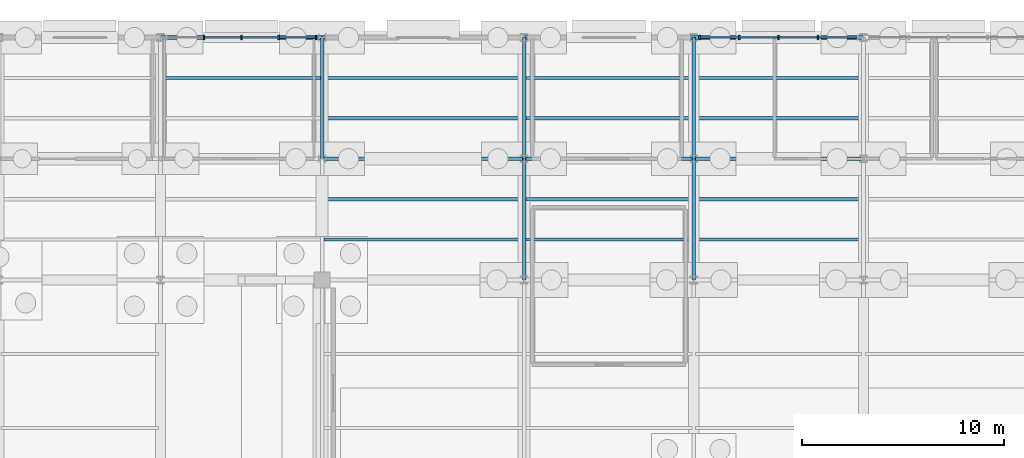
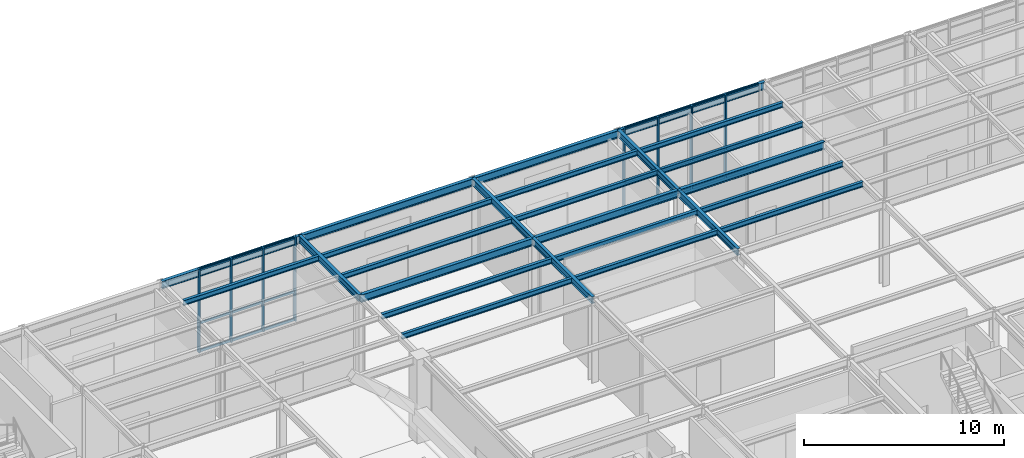
# One storey, part 61 of 129: 36 members, 25 beams, 2 elements without a shape of their own.
"""IFC4 building model written with IfcOpenShell, lengths in metres."""

from ifc_helpers import new_model, si_unit, direction, frame, origin, origin_2d, place, context, subcontext, project, spatial, rectangle, i_section, extrude, material, layer, layer_set, material_profile, profile_set, type_object, element, aggregate, save


model = new_model("IFC4")

# Units and contexts
model_context = context("Model", 3, precision=1e-05, world=origin(), true_north=direction((0.0, 1.0)))
body_context = subcontext(model_context, "Body", "Model", "MODEL_VIEW")
ifc_project = project(units=[si_unit("LENGTHUNIT", "METRE"), si_unit("AREAUNIT", "SQUARE_METRE"), si_unit("VOLUMEUNIT", "CUBIC_METRE"), si_unit("PLANEANGLEUNIT", "RADIAN"), si_unit("MASSUNIT", "GRAM", prefix="KILO")], contexts=[model_context])

# Site, building, storey
site_placement = place(None, origin())
site = spatial("IfcSite", under=ifc_project, at=site_placement, CompositionType="ELEMENT")
building_placement = place(site_placement, origin())
building = spatial("IfcBuilding", under=site, at=building_placement, Name="Sitalva Quay Ferry Terminal", CompositionType="ELEMENT")
storey_placement = place(building_placement, origin())
storey = spatial("IfcBuildingStorey", under=building, at=storey_placement, Name="L01", CompositionType="ELEMENT", Elevation=0.0)

# Beams
ifc_material_1 = material(Name="Structural Steel S355JR", Category="steel")
ifc_material_profile_1 = material_profile(ifc_material_1, i_section(OverallWidth=0.180908203125, OverallDepth=0.4169921875, WebThickness=0.010986328125, FlangeThickness=0.018310546875, FilletRadius=0.012939453125, at=origin_2d()), Name="W410x85")
ifc_profile_set_1 = profile_set([ifc_material_profile_1], Name="Structural Steel S355JR")
beam_type_1 = type_object("IfcBeamType", Name="Beam_W410x85", PredefinedType="BEAM", material=ifc_profile_set_1)
for number, where, z_axis, x_axis, name in (
    (1, (84.0, 100.0, 4.91162109375), (0.0, 1.0, 0.0), (-1.0, 0.0, 0.0), "L01 Primary Y girder 0529"),
    (2, (92.39990234375, 100.0, 4.91162109375), (0.0, 1.0, 0.0), (-1.0, 0.0, 0.0), "L01 Primary Y girder 0532"),
    (3, (74.0, 106.0, 4.91162109375), (0.0, 1.0, 0.0), (-1.0, 0.0, 0.0), "L01 Primary Y girder 0639"),
    (4, (84.0, 106.0, 4.91162109375), (0.0, 1.0, 0.0), (-1.0, 0.0, 0.0), "L01 Primary Y girder 0640"),
    (5, (92.39990234375, 106.0, 4.91162109375), (0.0, 1.0, 0.0), (-1.0, 0.0, 0.0), "L01 Primary Y girder 0641"),
):
    element("IfcBeam", number, at=place(storey_placement, frame(where, z_axis=z_axis, x_axis=x_axis)), inside=storey, type_object=beam_type_1, Name=name, PredefinedType="BEAM", context=body_context, shape_type="SweptSolid", body=[
        extrude(i_section(OverallWidth=0.180908203125, OverallDepth=0.4169921875, WebThickness=0.010986328125, FlangeThickness=0.018310546875, FilletRadius=0.012939453125, at=origin_2d()), origin(), (0.0, 0.0, 1.0), 6.0),
    ])
ifc_material_2 = material(Name="Structural Steel S355JR", Category="steel")
ifc_material_profile_2 = material_profile(ifc_material_2, i_section(OverallWidth=0.19091796875, OverallDepth=0.4599609375, WebThickness=0.010009765625, FlangeThickness=0.01611328125, FilletRadius=0.013916015625, at=origin_2d()), Name="W460x82")
ifc_profile_set_2 = profile_set([ifc_material_profile_2], Name="Structural Steel S355JR")
beam_type_2 = type_object("IfcBeamType", Name="Beam_W460x82", PredefinedType="BEAM", material=ifc_profile_set_2)
beam_1_placement = place(storey_placement, frame((74.0, 106.0, 4.889892578125), z_axis=(1.0, 0.0, 0.0), x_axis=(0.0, 1.0, 0.0)))
element("IfcBeam", 6, at=beam_1_placement, inside=storey, type_object=beam_type_2, Name="L01 Primary X girder 0513", PredefinedType="BEAM", context=body_context, shape_type="SweptSolid", body=[
    extrude(i_section(OverallWidth=0.19091796875, OverallDepth=0.4599609375, WebThickness=0.010009765625, FlangeThickness=0.01611328125, FilletRadius=0.013916015625, at=origin_2d()), origin(), (0.0, 0.0, 1.0), 10.0),
])
beam_2_placement = place(storey_placement, frame((84.0, 106.0, 4.889892578125), z_axis=(1.0, 0.0, 0.0), x_axis=(0.0, 1.0, 0.0)))
element("IfcBeam", 7, at=beam_2_placement, inside=storey, type_object=beam_type_2, Name="L01 Primary X girder 0514", PredefinedType="BEAM", context=body_context, shape_type="SweptSolid", body=[
    extrude(i_section(OverallWidth=0.19091796875, OverallDepth=0.4599609375, WebThickness=0.010009765625, FlangeThickness=0.01611328125, FilletRadius=0.013916015625, at=origin_2d()), origin(), (0.0, 0.0, 1.0), 8.39990234375),
])
beam_3_placement = place(storey_placement, frame((92.39990234375, 106.0, 4.889892578125), z_axis=(1.0, 0.0, 0.0), x_axis=(0.0, 1.0, 0.0)))
element("IfcBeam", 8, at=beam_3_placement, inside=storey, type_object=beam_type_2, Name="L01 Primary X girder 0515", PredefinedType="BEAM", context=body_context, shape_type="SweptSolid", body=[
    extrude(i_section(OverallWidth=0.19091796875, OverallDepth=0.4599609375, WebThickness=0.010009765625, FlangeThickness=0.01611328125, FilletRadius=0.013916015625, at=origin_2d()), origin(), (0.0, 0.0, 1.0), 8.400146484375),
])
beam_4_placement = place(storey_placement, frame((66.0, 112.0, 4.889892578125), z_axis=(1.0, 0.0, 0.0), x_axis=(0.0, 1.0, 0.0)))
element("IfcBeam", 9, at=beam_4_placement, inside=storey, type_object=beam_type_2, Name="L01 Primary X girder 0626", PredefinedType="BEAM", context=body_context, shape_type="SweptSolid", body=[
    extrude(i_section(OverallWidth=0.19091796875, OverallDepth=0.4599609375, WebThickness=0.010009765625, FlangeThickness=0.01611328125, FilletRadius=0.013916015625, at=origin_2d()), origin(), (0.0, 0.0, 1.0), 8.0),
])
beam_5_placement = place(storey_placement, frame((74.0, 112.0, 4.889892578125), z_axis=(1.0, 0.0, 0.0), x_axis=(0.0, 1.0, 0.0)))
element("IfcBeam", 10, at=beam_5_placement, inside=storey, type_object=beam_type_2, Name="L01 Primary X girder 0627", PredefinedType="BEAM", context=body_context, shape_type="SweptSolid", body=[
    extrude(i_section(OverallWidth=0.19091796875, OverallDepth=0.4599609375, WebThickness=0.010009765625, FlangeThickness=0.01611328125, FilletRadius=0.013916015625, at=origin_2d()), origin(), (0.0, 0.0, 1.0), 10.0),
])
beam_6_placement = place(storey_placement, frame((84.0, 112.0, 4.889892578125), z_axis=(1.0, 0.0, 0.0), x_axis=(0.0, 1.0, 0.0)))
element("IfcBeam", 11, at=beam_6_placement, inside=storey, type_object=beam_type_2, Name="L01 Primary X girder 0628", PredefinedType="BEAM", context=body_context, shape_type="SweptSolid", body=[
    extrude(i_section(OverallWidth=0.19091796875, OverallDepth=0.4599609375, WebThickness=0.010009765625, FlangeThickness=0.01611328125, FilletRadius=0.013916015625, at=origin_2d()), origin(), (0.0, 0.0, 1.0), 8.39990234375),
])
beam_7_placement = place(storey_placement, frame((92.39990234375, 112.0, 4.889892578125), z_axis=(1.0, 0.0, 0.0), x_axis=(0.0, 1.0, 0.0)))
element("IfcBeam", 12, at=beam_7_placement, inside=storey, type_object=beam_type_2, Name="L01 Primary X girder 0629", PredefinedType="BEAM", context=body_context, shape_type="SweptSolid", body=[
    extrude(i_section(OverallWidth=0.19091796875, OverallDepth=0.4599609375, WebThickness=0.010009765625, FlangeThickness=0.01611328125, FilletRadius=0.013916015625, at=origin_2d()), origin(), (0.0, 0.0, 1.0), 8.400146484375),
])
ifc_material_3 = material(Name="Structural Steel S355JR", Category="steel")
ifc_material_profile_3 = material_profile(ifc_material_3, i_section(OverallWidth=0.166015625, OverallDepth=0.31298828125, WebThickness=0.006591796875, FlangeThickness=0.01123046875, FilletRadius=0.010986328125, at=origin_2d()), Name="W310x45")
ifc_profile_set_3 = profile_set([ifc_material_profile_3], Name="Structural Steel S355JR")
beam_type_3 = type_object("IfcBeamType", Name="Joist_W310x45", PredefinedType="JOIST", material=ifc_profile_set_3)
beam_8_placement = place(storey_placement, frame((74.090576171875, 102.0, 4.96337890625), z_axis=(1.0, 0.0, 0.0), x_axis=(0.0, 1.0, 0.0)))
element("IfcBeam", 13, at=beam_8_placement, inside=storey, type_object=beam_type_3, Name="L01 Secondary joist 0596", PredefinedType="JOIST", context=body_context, shape_type="SweptSolid", body=[
    extrude(i_section(OverallWidth=0.166015625, OverallDepth=0.31298828125, WebThickness=0.006591796875, FlangeThickness=0.01123046875, FilletRadius=0.010986328125, at=origin_2d()), origin(), (0.0, 0.0, 1.0), 9.81884765625),
])
for number, where, z_axis, x_axis, name in (
    (14, (84.090576171875, 102.0, 4.96337890625), (1.0, 0.0, 0.0), (0.0, 1.0, 0.0), "L01 Secondary joist 0597"),
    (15, (92.490478515625, 102.0, 4.96337890625), (1.0, 0.0, 0.0), (0.0, 1.0, 0.0), "L01 Secondary joist 0598"),
):
    element("IfcBeam", number, at=place(storey_placement, frame(where, z_axis=z_axis, x_axis=x_axis)), inside=storey, type_object=beam_type_3, Name=name, PredefinedType="JOIST", context=body_context, shape_type="SweptSolid", body=[
        extrude(i_section(OverallWidth=0.166015625, OverallDepth=0.31298828125, WebThickness=0.006591796875, FlangeThickness=0.01123046875, FilletRadius=0.010986328125, at=origin_2d()), origin(), (0.0, 0.0, 1.0), 8.218994140625),
    ])
beam_9_placement = place(storey_placement, frame((74.090576171875, 104.0, 4.96337890625), z_axis=(1.0, 0.0, 0.0), x_axis=(0.0, 1.0, 0.0)))
element("IfcBeam", 16, at=beam_9_placement, inside=storey, type_object=beam_type_3, Name="L01 Secondary joist 0607", PredefinedType="JOIST", context=body_context, shape_type="SweptSolid", body=[
    extrude(i_section(OverallWidth=0.166015625, OverallDepth=0.31298828125, WebThickness=0.006591796875, FlangeThickness=0.01123046875, FilletRadius=0.010986328125, at=origin_2d()), origin(), (0.0, 0.0, 1.0), 9.81884765625),
])
for number, where, z_axis, x_axis, name in (
    (17, (84.090576171875, 104.0, 4.96337890625), (1.0, 0.0, 0.0), (0.0, 1.0, 0.0), "L01 Secondary joist 0608"),
    (18, (92.490478515625, 104.0, 4.96337890625), (1.0, 0.0, 0.0), (0.0, 1.0, 0.0), "L01 Secondary joist 0609"),
):
    element("IfcBeam", number, at=place(storey_placement, frame(where, z_axis=z_axis, x_axis=x_axis)), inside=storey, type_object=beam_type_3, Name=name, PredefinedType="JOIST", context=body_context, shape_type="SweptSolid", body=[
        extrude(i_section(OverallWidth=0.166015625, OverallDepth=0.31298828125, WebThickness=0.006591796875, FlangeThickness=0.01123046875, FilletRadius=0.010986328125, at=origin_2d()), origin(), (0.0, 0.0, 1.0), 8.218994140625),
    ])
beam_10_placement = place(storey_placement, frame((74.090576171875, 108.0, 4.96337890625), z_axis=(1.0, 0.0, 0.0), x_axis=(0.0, 1.0, 0.0)))
element("IfcBeam", 19, at=beam_10_placement, inside=storey, type_object=beam_type_3, Name="L01 Secondary joist 0654", PredefinedType="JOIST", context=body_context, shape_type="SweptSolid", body=[
    extrude(i_section(OverallWidth=0.166015625, OverallDepth=0.31298828125, WebThickness=0.006591796875, FlangeThickness=0.01123046875, FilletRadius=0.010986328125, at=origin_2d()), origin(), (0.0, 0.0, 1.0), 9.81884765625),
])
for number, where, z_axis, x_axis, name in (
    (20, (84.090576171875, 108.0, 4.96337890625), (1.0, 0.0, 0.0), (0.0, 1.0, 0.0), "L01 Secondary joist 0655"),
    (21, (92.490478515625, 108.0, 4.96337890625), (1.0, 0.0, 0.0), (0.0, 1.0, 0.0), "L01 Secondary joist 0656"),
):
    element("IfcBeam", number, at=place(storey_placement, frame(where, z_axis=z_axis, x_axis=x_axis)), inside=storey, type_object=beam_type_3, Name=name, PredefinedType="JOIST", context=body_context, shape_type="SweptSolid", body=[
        extrude(i_section(OverallWidth=0.166015625, OverallDepth=0.31298828125, WebThickness=0.006591796875, FlangeThickness=0.01123046875, FilletRadius=0.010986328125, at=origin_2d()), origin(), (0.0, 0.0, 1.0), 8.218994140625),
    ])
beam_11_placement = place(storey_placement, frame((66.090576171875, 110.0, 4.96337890625), z_axis=(1.0, 0.0, 0.0), x_axis=(0.0, 1.0, 0.0)))
element("IfcBeam", 22, at=beam_11_placement, inside=storey, type_object=beam_type_3, Name="L01 Secondary joist 0661", PredefinedType="JOIST", context=body_context, shape_type="SweptSolid", body=[
    extrude(i_section(OverallWidth=0.166015625, OverallDepth=0.31298828125, WebThickness=0.006591796875, FlangeThickness=0.01123046875, FilletRadius=0.010986328125, at=origin_2d()), origin(), (0.0, 0.0, 1.0), 7.81884765625),
])
beam_12_placement = place(storey_placement, frame((74.090576171875, 110.0, 4.96337890625), z_axis=(1.0, 0.0, 0.0), x_axis=(0.0, 1.0, 0.0)))
element("IfcBeam", 23, at=beam_12_placement, inside=storey, type_object=beam_type_3, Name="L01 Secondary joist 0662", PredefinedType="JOIST", context=body_context, shape_type="SweptSolid", body=[
    extrude(i_section(OverallWidth=0.166015625, OverallDepth=0.31298828125, WebThickness=0.006591796875, FlangeThickness=0.01123046875, FilletRadius=0.010986328125, at=origin_2d()), origin(), (0.0, 0.0, 1.0), 9.81884765625),
])
for number, where, z_axis, x_axis, name in (
    (24, (84.090576171875, 110.0, 4.96337890625), (1.0, 0.0, 0.0), (0.0, 1.0, 0.0), "L01 Secondary joist 0663"),
    (25, (92.490478515625, 110.0, 4.96337890625), (1.0, 0.0, 0.0), (0.0, 1.0, 0.0), "L01 Secondary joist 0664"),
):
    element("IfcBeam", number, at=place(storey_placement, frame(where, z_axis=z_axis, x_axis=x_axis)), inside=storey, type_object=beam_type_3, Name=name, PredefinedType="JOIST", context=body_context, shape_type="SweptSolid", body=[
        extrude(i_section(OverallWidth=0.166015625, OverallDepth=0.31298828125, WebThickness=0.006591796875, FlangeThickness=0.01123046875, FilletRadius=0.010986328125, at=origin_2d()), origin(), (0.0, 0.0, 1.0), 8.218994140625),
    ])

# Curtain wall, members
ifc_material_4 = material(Name="Anodised Aluminium & Low-E Glazing", Category="aluminium")
ifc_layer = layer(ifc_material_4, 0.159912109375)
ifc_layer_set = layer_set([ifc_layer], Name="Anodised Aluminium & Low-E Glazing")
curtain_wall_type = type_object("IfcCurtainWallType", Name="CW_Concourse_Unitised", PredefinedType="USERDEFINED", material=ifc_layer_set)
curtain_wall_1_placement = place(storey_placement, origin())
curtain_wall_1 = element("IfcCurtainWall", 26, at=curtain_wall_1_placement, inside=storey, type_object=curtain_wall_type, Name="Forecourt arrival hall glazing L01 (CW-L01-102)", ObjectType="CURTAIN_WALL", PredefinedType="USERDEFINED")
ifc_material_5 = material(Name="Anodised Aluminium 6063-T6", Category="aluminium")
ifc_material_profile_4 = material_profile(ifc_material_5, rectangle(XDim=0.0849609375, YDim=0.2099609375, at=origin_2d()), Name="ALU85x210")
ifc_profile_set_4 = profile_set([ifc_material_profile_4], Name="Anodised Aluminium 6063-T6")
member_type_1 = type_object("IfcMemberType", Name="Mullion_Alu_85x210", PredefinedType="MULLION", material=ifc_profile_set_4)
member_1_placement = place(storey_placement, frame((68.14990234375, 112.0, 0.0), z_axis=(0.0, 0.0, 1.0), x_axis=(1.0, 0.0, 0.0)))
member_1 = element("IfcMember", 27, at=member_1_placement, type_object=member_type_1, Name="CW-L01-102-M1", PredefinedType="MULLION", context=body_context, shape_type="SweptSolid", body=[
    extrude(rectangle(XDim=0.0849609375, YDim=0.2099609375, at=origin_2d()), origin(), (0.0, 0.0, 1.0), 5.1201171875),
])
member_2_placement = place(storey_placement, frame((70.0, 112.0, 0.0), z_axis=(0.0, 0.0, 1.0), x_axis=(1.0, 0.0, 0.0)))
member_2 = element("IfcMember", 28, at=member_2_placement, type_object=member_type_1, Name="CW-L01-102-M2", PredefinedType="MULLION", context=body_context, shape_type="SweptSolid", body=[
    extrude(rectangle(XDim=0.0849609375, YDim=0.2099609375, at=origin_2d()), origin(), (0.0, 0.0, 1.0), 5.1201171875),
])
member_3_placement = place(storey_placement, frame((71.85009765625, 112.0, 0.0), z_axis=(0.0, 0.0, 1.0), x_axis=(1.0, 0.0, 0.0)))
member_3 = element("IfcMember", 29, at=member_3_placement, type_object=member_type_1, Name="CW-L01-102-M3", PredefinedType="MULLION", context=body_context, shape_type="SweptSolid", body=[
    extrude(rectangle(XDim=0.0849609375, YDim=0.2099609375, at=origin_2d()), origin(), (0.0, 0.0, 1.0), 5.1201171875),
])
member_4_placement = place(storey_placement, frame((73.699951171875, 112.0, 0.0), z_axis=(0.0, 0.0, 1.0), x_axis=(1.0, 0.0, 0.0)))
member_4 = element("IfcMember", 30, at=member_4_placement, type_object=member_type_1, Name="CW-L01-102-M4", PredefinedType="MULLION", context=body_context, shape_type="SweptSolid", body=[
    extrude(rectangle(XDim=0.0849609375, YDim=0.2099609375, at=origin_2d()), origin(), (0.0, 0.0, 1.0), 5.1201171875),
])

curtain_wall_2_placement = place(storey_placement, origin())
curtain_wall_2 = element("IfcCurtainWall", 31, at=curtain_wall_2_placement, inside=storey, type_object=curtain_wall_type, Name="Forecourt arrival hall glazing L01 (CW-L01-103)", ObjectType="CURTAIN_WALL", PredefinedType="USERDEFINED")
member_5_placement = place(storey_placement, frame((92.699951171875, 112.0, 0.0), z_axis=(0.0, 0.0, 1.0), x_axis=(1.0, 0.0, 0.0)))
member_5 = element("IfcMember", 32, at=member_5_placement, type_object=member_type_1, Name="CW-L01-103-M0", PredefinedType="MULLION", context=body_context, shape_type="SweptSolid", body=[
    extrude(rectangle(XDim=0.0849609375, YDim=0.2099609375, at=origin_2d()), origin(), (0.0, 0.0, 1.0), 5.1201171875),
])
member_6_placement = place(storey_placement, frame((94.64990234375, 112.0, 0.0), z_axis=(0.0, 0.0, 1.0), x_axis=(1.0, 0.0, 0.0)))
member_6 = element("IfcMember", 33, at=member_6_placement, type_object=member_type_1, Name="CW-L01-103-M1", PredefinedType="MULLION", context=body_context, shape_type="SweptSolid", body=[
    extrude(rectangle(XDim=0.0849609375, YDim=0.2099609375, at=origin_2d()), origin(), (0.0, 0.0, 1.0), 5.1201171875),
])
member_7_placement = place(storey_placement, frame((96.60009765625, 112.0, 0.0), z_axis=(0.0, 0.0, 1.0), x_axis=(1.0, 0.0, 0.0)))
member_7 = element("IfcMember", 34, at=member_7_placement, type_object=member_type_1, Name="CW-L01-103-M2", PredefinedType="MULLION", context=body_context, shape_type="SweptSolid", body=[
    extrude(rectangle(XDim=0.0849609375, YDim=0.2099609375, at=origin_2d()), origin(), (0.0, 0.0, 1.0), 5.1201171875),
])
member_8_placement = place(storey_placement, frame((98.550048828125, 112.0, 0.0), z_axis=(0.0, 0.0, 1.0), x_axis=(1.0, 0.0, 0.0)))
member_8 = element("IfcMember", 35, at=member_8_placement, type_object=member_type_1, Name="CW-L01-103-M3", PredefinedType="MULLION", context=body_context, shape_type="SweptSolid", body=[
    extrude(rectangle(XDim=0.0849609375, YDim=0.2099609375, at=origin_2d()), origin(), (0.0, 0.0, 1.0), 5.1201171875),
])

# Member
ifc_material_6 = material(Name="Anodised Aluminium 6063-T6", Category="aluminium")
ifc_material_profile_5 = material_profile(ifc_material_6, rectangle(XDim=0.074951171875, YDim=0.14990234375, at=origin_2d()), Name="ALU75x150")
ifc_profile_set_5 = profile_set([ifc_material_profile_5], Name="Anodised Aluminium 6063-T6")
member_type_2 = type_object("IfcMemberType", Name="Transom_Alu_75x140", PredefinedType="MULLION", material=ifc_profile_set_5)
member_9_placement = place(storey_placement, frame((68.1923828125, 112.0, 0.074951171875), z_axis=(1.0, 0.0, 0.0), x_axis=(0.0, 1.0, 0.0)))
member_9 = element("IfcMember", 36, at=member_9_placement, type_object=member_type_2, Name="CW-L01-102-T1-0", ObjectType="TRANSOM", PredefinedType="USERDEFINED", context=body_context, shape_type="SweptSolid", body=[
    extrude(rectangle(XDim=0.074951171875, YDim=0.14990234375, at=origin_2d()), origin(), (0.0, 0.0, 1.0), 1.76513671875),
])

member_10_placement = place(storey_placement, frame((68.1923828125, 112.0, 1.78173828125), z_axis=(1.0, 0.0, 0.0), x_axis=(0.0, 1.0, 0.0)))
member_10 = element("IfcMember", 37, at=member_10_placement, type_object=member_type_2, Name="CW-L01-102-T1-1", ObjectType="TRANSOM", PredefinedType="USERDEFINED", context=body_context, shape_type="SweptSolid", body=[
    extrude(rectangle(XDim=0.074951171875, YDim=0.14990234375, at=origin_2d()), origin(), (0.0, 0.0, 1.0), 1.76513671875),
])

member_11_placement = place(storey_placement, frame((68.1923828125, 112.0, 3.48828125), z_axis=(1.0, 0.0, 0.0), x_axis=(0.0, 1.0, 0.0)))
member_11 = element("IfcMember", 38, at=member_11_placement, type_object=member_type_2, Name="CW-L01-102-T1-2", ObjectType="TRANSOM", PredefinedType="USERDEFINED", context=body_context, shape_type="SweptSolid", body=[
    extrude(rectangle(XDim=0.074951171875, YDim=0.14990234375, at=origin_2d()), origin(), (0.0, 0.0, 1.0), 1.76513671875),
])

member_12_placement = place(storey_placement, frame((68.1923828125, 112.0, 5.044921875), z_axis=(1.0, 0.0, 0.0), x_axis=(0.0, 1.0, 0.0)))
member_12 = element("IfcMember", 39, at=member_12_placement, type_object=member_type_2, Name="CW-L01-102-T1-3", ObjectType="TRANSOM", PredefinedType="USERDEFINED", context=body_context, shape_type="SweptSolid", body=[
    extrude(rectangle(XDim=0.074951171875, YDim=0.14990234375, at=origin_2d()), origin(), (0.0, 0.0, 1.0), 1.76513671875),
])

member_13_placement = place(storey_placement, frame((70.04248046875, 112.0, 0.074951171875), z_axis=(1.0, 0.0, 0.0), x_axis=(0.0, 1.0, 0.0)))
member_13 = element("IfcMember", 40, at=member_13_placement, type_object=member_type_2, Name="CW-L01-102-T2-0", ObjectType="TRANSOM", PredefinedType="USERDEFINED", context=body_context, shape_type="SweptSolid", body=[
    extrude(rectangle(XDim=0.074951171875, YDim=0.14990234375, at=origin_2d()), origin(), (0.0, 0.0, 1.0), 1.76513671875),
])

member_14_placement = place(storey_placement, frame((70.04248046875, 112.0, 1.78173828125), z_axis=(1.0, 0.0, 0.0), x_axis=(0.0, 1.0, 0.0)))
member_14 = element("IfcMember", 41, at=member_14_placement, type_object=member_type_2, Name="CW-L01-102-T2-1", ObjectType="TRANSOM", PredefinedType="USERDEFINED", context=body_context, shape_type="SweptSolid", body=[
    extrude(rectangle(XDim=0.074951171875, YDim=0.14990234375, at=origin_2d()), origin(), (0.0, 0.0, 1.0), 1.76513671875),
])

member_15_placement = place(storey_placement, frame((70.04248046875, 112.0, 3.48828125), z_axis=(1.0, 0.0, 0.0), x_axis=(0.0, 1.0, 0.0)))
member_15 = element("IfcMember", 42, at=member_15_placement, type_object=member_type_2, Name="CW-L01-102-T2-2", ObjectType="TRANSOM", PredefinedType="USERDEFINED", context=body_context, shape_type="SweptSolid", body=[
    extrude(rectangle(XDim=0.074951171875, YDim=0.14990234375, at=origin_2d()), origin(), (0.0, 0.0, 1.0), 1.76513671875),
])

member_16_placement = place(storey_placement, frame((70.04248046875, 112.0, 5.044921875), z_axis=(1.0, 0.0, 0.0), x_axis=(0.0, 1.0, 0.0)))
member_16 = element("IfcMember", 43, at=member_16_placement, type_object=member_type_2, Name="CW-L01-102-T2-3", ObjectType="TRANSOM", PredefinedType="USERDEFINED", context=body_context, shape_type="SweptSolid", body=[
    extrude(rectangle(XDim=0.074951171875, YDim=0.14990234375, at=origin_2d()), origin(), (0.0, 0.0, 1.0), 1.76513671875),
])

member_17_placement = place(storey_placement, frame((71.892578125, 112.0, 0.074951171875), z_axis=(1.0, 0.0, 0.0), x_axis=(0.0, 1.0, 0.0)))
member_17 = element("IfcMember", 44, at=member_17_placement, type_object=member_type_2, Name="CW-L01-102-T3-0", ObjectType="TRANSOM", PredefinedType="USERDEFINED", context=body_context, shape_type="SweptSolid", body=[
    extrude(rectangle(XDim=0.074951171875, YDim=0.14990234375, at=origin_2d()), origin(), (0.0, 0.0, 1.0), 1.764892578125),
])

member_18_placement = place(storey_placement, frame((71.892578125, 112.0, 1.78173828125), z_axis=(1.0, 0.0, 0.0), x_axis=(0.0, 1.0, 0.0)))
member_18 = element("IfcMember", 45, at=member_18_placement, type_object=member_type_2, Name="CW-L01-102-T3-1", ObjectType="TRANSOM", PredefinedType="USERDEFINED", context=body_context, shape_type="SweptSolid", body=[
    extrude(rectangle(XDim=0.074951171875, YDim=0.14990234375, at=origin_2d()), origin(), (0.0, 0.0, 1.0), 1.764892578125),
])

member_19_placement = place(storey_placement, frame((71.892578125, 112.0, 3.48828125), z_axis=(1.0, 0.0, 0.0), x_axis=(0.0, 1.0, 0.0)))
member_19 = element("IfcMember", 46, at=member_19_placement, type_object=member_type_2, Name="CW-L01-102-T3-2", ObjectType="TRANSOM", PredefinedType="USERDEFINED", context=body_context, shape_type="SweptSolid", body=[
    extrude(rectangle(XDim=0.074951171875, YDim=0.14990234375, at=origin_2d()), origin(), (0.0, 0.0, 1.0), 1.764892578125),
])

member_20_placement = place(storey_placement, frame((71.892578125, 112.0, 5.044921875), z_axis=(1.0, 0.0, 0.0), x_axis=(0.0, 1.0, 0.0)))
member_20 = element("IfcMember", 47, at=member_20_placement, type_object=member_type_2, Name="CW-L01-102-T3-3", ObjectType="TRANSOM", PredefinedType="USERDEFINED", context=body_context, shape_type="SweptSolid", body=[
    extrude(rectangle(XDim=0.074951171875, YDim=0.14990234375, at=origin_2d()), origin(), (0.0, 0.0, 1.0), 1.764892578125),
])

aggregate(curtain_wall_1, [member_1, member_2, member_3, member_4, member_9, member_10, member_11, member_12, member_13, member_14, member_15, member_16, member_17, member_18, member_19, member_20])

member_21_placement = place(storey_placement, frame((92.742431640625, 112.0, 0.074951171875), z_axis=(1.0, 0.0, 0.0), x_axis=(0.0, 1.0, 0.0)))
member_21 = element("IfcMember", 48, at=member_21_placement, type_object=member_type_2, Name="CW-L01-103-T0-0", ObjectType="TRANSOM", PredefinedType="USERDEFINED", context=body_context, shape_type="SweptSolid", body=[
    extrude(rectangle(XDim=0.074951171875, YDim=0.14990234375, at=origin_2d()), origin(), (0.0, 0.0, 1.0), 1.864990234375),
])

member_22_placement = place(storey_placement, frame((92.742431640625, 112.0, 1.78173828125), z_axis=(1.0, 0.0, 0.0), x_axis=(0.0, 1.0, 0.0)))
member_22 = element("IfcMember", 49, at=member_22_placement, type_object=member_type_2, Name="CW-L01-103-T0-1", ObjectType="TRANSOM", PredefinedType="USERDEFINED", context=body_context, shape_type="SweptSolid", body=[
    extrude(rectangle(XDim=0.074951171875, YDim=0.14990234375, at=origin_2d()), origin(), (0.0, 0.0, 1.0), 1.864990234375),
])

member_23_placement = place(storey_placement, frame((92.742431640625, 112.0, 3.48828125), z_axis=(1.0, 0.0, 0.0), x_axis=(0.0, 1.0, 0.0)))
member_23 = element("IfcMember", 50, at=member_23_placement, type_object=member_type_2, Name="CW-L01-103-T0-2", ObjectType="TRANSOM", PredefinedType="USERDEFINED", context=body_context, shape_type="SweptSolid", body=[
    extrude(rectangle(XDim=0.074951171875, YDim=0.14990234375, at=origin_2d()), origin(), (0.0, 0.0, 1.0), 1.864990234375),
])

member_24_placement = place(storey_placement, frame((92.742431640625, 112.0, 5.044921875), z_axis=(1.0, 0.0, 0.0), x_axis=(0.0, 1.0, 0.0)))
member_24 = element("IfcMember", 51, at=member_24_placement, type_object=member_type_2, Name="CW-L01-103-T0-3", ObjectType="TRANSOM", PredefinedType="USERDEFINED", context=body_context, shape_type="SweptSolid", body=[
    extrude(rectangle(XDim=0.074951171875, YDim=0.14990234375, at=origin_2d()), origin(), (0.0, 0.0, 1.0), 1.864990234375),
])

member_25_placement = place(storey_placement, frame((94.6923828125, 112.0, 0.074951171875), z_axis=(1.0, 0.0, 0.0), x_axis=(0.0, 1.0, 0.0)))
member_25 = element("IfcMember", 52, at=member_25_placement, type_object=member_type_2, Name="CW-L01-103-T1-0", ObjectType="TRANSOM", PredefinedType="USERDEFINED", context=body_context, shape_type="SweptSolid", body=[
    extrude(rectangle(XDim=0.074951171875, YDim=0.14990234375, at=origin_2d()), origin(), (0.0, 0.0, 1.0), 1.865234375),
])

member_26_placement = place(storey_placement, frame((94.6923828125, 112.0, 1.78173828125), z_axis=(1.0, 0.0, 0.0), x_axis=(0.0, 1.0, 0.0)))
member_26 = element("IfcMember", 53, at=member_26_placement, type_object=member_type_2, Name="CW-L01-103-T1-1", ObjectType="TRANSOM", PredefinedType="USERDEFINED", context=body_context, shape_type="SweptSolid", body=[
    extrude(rectangle(XDim=0.074951171875, YDim=0.14990234375, at=origin_2d()), origin(), (0.0, 0.0, 1.0), 1.865234375),
])

member_27_placement = place(storey_placement, frame((94.6923828125, 112.0, 3.48828125), z_axis=(1.0, 0.0, 0.0), x_axis=(0.0, 1.0, 0.0)))
member_27 = element("IfcMember", 54, at=member_27_placement, type_object=member_type_2, Name="CW-L01-103-T1-2", ObjectType="TRANSOM", PredefinedType="USERDEFINED", context=body_context, shape_type="SweptSolid", body=[
    extrude(rectangle(XDim=0.074951171875, YDim=0.14990234375, at=origin_2d()), origin(), (0.0, 0.0, 1.0), 1.865234375),
])

member_28_placement = place(storey_placement, frame((94.6923828125, 112.0, 5.044921875), z_axis=(1.0, 0.0, 0.0), x_axis=(0.0, 1.0, 0.0)))
member_28 = element("IfcMember", 55, at=member_28_placement, type_object=member_type_2, Name="CW-L01-103-T1-3", ObjectType="TRANSOM", PredefinedType="USERDEFINED", context=body_context, shape_type="SweptSolid", body=[
    extrude(rectangle(XDim=0.074951171875, YDim=0.14990234375, at=origin_2d()), origin(), (0.0, 0.0, 1.0), 1.865234375),
])

member_29_placement = place(storey_placement, frame((96.642578125, 112.0, 0.074951171875), z_axis=(1.0, 0.0, 0.0), x_axis=(0.0, 1.0, 0.0)))
member_29 = element("IfcMember", 56, at=member_29_placement, type_object=member_type_2, Name="CW-L01-103-T2-0", ObjectType="TRANSOM", PredefinedType="USERDEFINED", context=body_context, shape_type="SweptSolid", body=[
    extrude(rectangle(XDim=0.074951171875, YDim=0.14990234375, at=origin_2d()), origin(), (0.0, 0.0, 1.0), 1.864990234375),
])

member_30_placement = place(storey_placement, frame((96.642578125, 112.0, 1.78173828125), z_axis=(1.0, 0.0, 0.0), x_axis=(0.0, 1.0, 0.0)))
member_30 = element("IfcMember", 57, at=member_30_placement, type_object=member_type_2, Name="CW-L01-103-T2-1", ObjectType="TRANSOM", PredefinedType="USERDEFINED", context=body_context, shape_type="SweptSolid", body=[
    extrude(rectangle(XDim=0.074951171875, YDim=0.14990234375, at=origin_2d()), origin(), (0.0, 0.0, 1.0), 1.864990234375),
])

member_31_placement = place(storey_placement, frame((96.642578125, 112.0, 3.48828125), z_axis=(1.0, 0.0, 0.0), x_axis=(0.0, 1.0, 0.0)))
member_31 = element("IfcMember", 58, at=member_31_placement, type_object=member_type_2, Name="CW-L01-103-T2-2", ObjectType="TRANSOM", PredefinedType="USERDEFINED", context=body_context, shape_type="SweptSolid", body=[
    extrude(rectangle(XDim=0.074951171875, YDim=0.14990234375, at=origin_2d()), origin(), (0.0, 0.0, 1.0), 1.864990234375),
])

member_32_placement = place(storey_placement, frame((96.642578125, 112.0, 5.044921875), z_axis=(1.0, 0.0, 0.0), x_axis=(0.0, 1.0, 0.0)))
member_32 = element("IfcMember", 59, at=member_32_placement, type_object=member_type_2, Name="CW-L01-103-T2-3", ObjectType="TRANSOM", PredefinedType="USERDEFINED", context=body_context, shape_type="SweptSolid", body=[
    extrude(rectangle(XDim=0.074951171875, YDim=0.14990234375, at=origin_2d()), origin(), (0.0, 0.0, 1.0), 1.864990234375),
])

member_33_placement = place(storey_placement, frame((98.592529296875, 112.0, 0.074951171875), z_axis=(1.0, 0.0, 0.0), x_axis=(0.0, 1.0, 0.0)))
member_33 = element("IfcMember", 60, at=member_33_placement, type_object=member_type_2, Name="CW-L01-103-T3-0", ObjectType="TRANSOM", PredefinedType="USERDEFINED", context=body_context, shape_type="SweptSolid", body=[
    extrude(rectangle(XDim=0.074951171875, YDim=0.14990234375, at=origin_2d()), origin(), (0.0, 0.0, 1.0), 1.864990234375),
])

member_34_placement = place(storey_placement, frame((98.592529296875, 112.0, 1.78173828125), z_axis=(1.0, 0.0, 0.0), x_axis=(0.0, 1.0, 0.0)))
member_34 = element("IfcMember", 61, at=member_34_placement, type_object=member_type_2, Name="CW-L01-103-T3-1", ObjectType="TRANSOM", PredefinedType="USERDEFINED", context=body_context, shape_type="SweptSolid", body=[
    extrude(rectangle(XDim=0.074951171875, YDim=0.14990234375, at=origin_2d()), origin(), (0.0, 0.0, 1.0), 1.864990234375),
])

member_35_placement = place(storey_placement, frame((98.592529296875, 112.0, 3.48828125), z_axis=(1.0, 0.0, 0.0), x_axis=(0.0, 1.0, 0.0)))
member_35 = element("IfcMember", 62, at=member_35_placement, type_object=member_type_2, Name="CW-L01-103-T3-2", ObjectType="TRANSOM", PredefinedType="USERDEFINED", context=body_context, shape_type="SweptSolid", body=[
    extrude(rectangle(XDim=0.074951171875, YDim=0.14990234375, at=origin_2d()), origin(), (0.0, 0.0, 1.0), 1.864990234375),
])

member_36_placement = place(storey_placement, frame((98.592529296875, 112.0, 5.044921875), z_axis=(1.0, 0.0, 0.0), x_axis=(0.0, 1.0, 0.0)))
member_36 = element("IfcMember", 63, at=member_36_placement, type_object=member_type_2, Name="CW-L01-103-T3-3", ObjectType="TRANSOM", PredefinedType="USERDEFINED", context=body_context, shape_type="SweptSolid", body=[
    extrude(rectangle(XDim=0.074951171875, YDim=0.14990234375, at=origin_2d()), origin(), (0.0, 0.0, 1.0), 1.864990234375),
])

aggregate(curtain_wall_2, [member_5, member_6, member_7, member_8, member_21, member_22, member_23, member_24, member_25, member_26, member_27, member_28, member_29, member_30, member_31, member_32, member_33, member_34, member_35, member_36])

save(model, "model.ifc")
